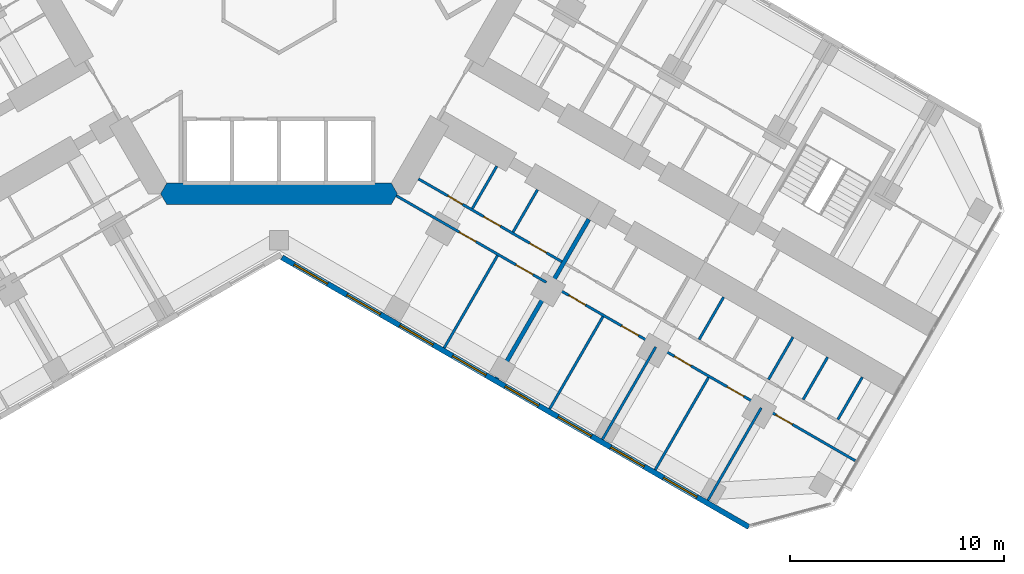
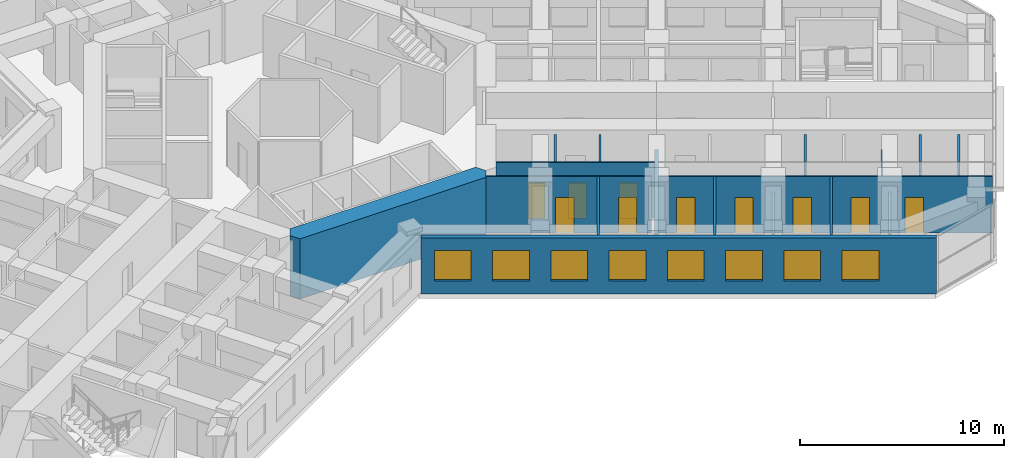
# One storey, part 14 of 22: 17 walls, 10 doors, 8 windows, 18 openings.
"""IFC4 building model written with IfcOpenShell, lengths in metres."""

from ifc_helpers import new_model, si_unit, direction, frame, frame_2d, origin, place, context, subcontext, project, spatial, polyline, rectangle, outline, extrude, material, layer, layer_set, type_object, element, fill, save


model = new_model("IFC4")

# Units and contexts
model_context = context("Model", 3, precision=1e-05, world=origin(), true_north=direction((0.0, 1.0)))
body_context = subcontext(model_context, "Body", "Model", "MODEL_VIEW")
ifc_project = project(units=[si_unit("LENGTHUNIT", "METRE"), si_unit("AREAUNIT", "SQUARE_METRE"), si_unit("VOLUMEUNIT", "CUBIC_METRE"), si_unit("PLANEANGLEUNIT", "RADIAN"), si_unit("MASSUNIT", "GRAM", prefix="KILO")], contexts=[model_context])

# Site, building, storey
site_placement = place(None, origin())
site = spatial("IfcSite", under=ifc_project, at=site_placement, CompositionType="ELEMENT")
building_placement = place(site_placement, origin())
building = spatial("IfcBuilding", under=site, at=building_placement, Name="Kosmar Iwan School Tower", CompositionType="ELEMENT")
storey_placement = place(building_placement, frame((0.0, 0.0, 95.199951171875)))
storey = spatial("IfcBuildingStorey", under=building, at=storey_placement, Name="L23", CompositionType="ELEMENT", Elevation=95.199951171875)

# Wall
ifc_material_1 = material(Name="Concrete C50/60", Category="concrete")
ifc_layer_1 = layer(ifc_material_1, 1.0)
ifc_layer_set_1 = layer_set([ifc_layer_1], Name="Core wall 1000")
wall_type_1 = type_object("IfcWallType", Name="Core wall 1000", PredefinedType="SHEAR", material=ifc_layer_set_1)
wall_1_placement = place(storey_placement, origin())
element("IfcWall", 1, at=wall_1_placement, inside=storey, type_object=wall_type_1, Name="Core wall F270", PredefinedType="SHEAR", context=body_context, shape_type="SweptSolid", body=[
    extrude(outline(polyline([(-5.25390625, -10.10009765625), (5.25390625, -10.10009765625), (5.54248046875, -9.60009765625), (5.25390625, -9.10009765625), (-5.25390625, -9.10009765625), (-5.54248046875, -9.60009765625), (-5.25390625, -10.10009765625)])), origin(), (0.0, 0.0, 1.0), 3.60009765625),
])

# Wall, openings, doors
ifc_material_2 = material(Name="Gypsum board on steel studs", Category="steel")
ifc_layer_2 = layer(ifc_material_2, 0.1201171875)
ifc_layer_set_2 = layer_set([ifc_layer_2], Name="Dwelling partition 120")
wall_type_2 = type_object("IfcWallType", Name="Dwelling partition 120", PredefinedType="PARTITIONING", material=ifc_layer_set_2)
wall_2_placement = place(storey_placement, frame((6.521728515625, -8.90380859375, 0.0), z_axis=(0.0, 0.0, 1.0), x_axis=(0.866032409438, -0.499987865656, 0.0)))
wall_2 = element("IfcWall", 2, at=wall_2_placement, inside=storey, type_object=wall_type_2, Name="Partition L23-CR1-W1", PredefinedType="PARTITIONING", context=body_context, shape_type="SweptSolid", body=[
    extrude(rectangle(XDim=7.750244140625, YDim=0.1201171875, at=frame_2d((3.875, 0.0))), origin(), (0.0, 0.0, 1.0), 3.35009765625),
])
opening_1_placement = place(wall_2_placement, frame((1.590087890625, 0.0, 0.0)))
opening_1 = element("IfcOpeningElement", 3, at=opening_1_placement, cuts=wall_2, Name="Opening D3", PredefinedType="OPENING", context=body_context, shape_type="SweptSolid", body=[
    extrude(rectangle(XDim=0.800048828125, YDim=2.10009765625, at=frame_2d((0.39990234375, 1.050048828125))), frame((0.0, 0.072021484375, 0.0), z_axis=(0.0, -1.0, 0.0), x_axis=(1.0, 0.0, 0.0)), (0.0, 0.0, 1.0), 0.14404296875),
])
opening_2_placement = place(wall_2_placement, frame((3.530029296875, 0.0, 0.0)))
opening_2 = element("IfcOpeningElement", 4, at=opening_2_placement, cuts=wall_2, Name="Opening D2", PredefinedType="OPENING", context=body_context, shape_type="SweptSolid", body=[
    extrude(rectangle(XDim=0.89990234375, YDim=2.10009765625, at=frame_2d((0.449951171875, 1.050048828125))), frame((0.0, 0.072021484375, 0.0), z_axis=(0.0, -1.0, 0.0), x_axis=(1.0, 0.0, 0.0)), (0.0, 0.0, 1.0), 0.14404296875),
])
opening_3_placement = place(wall_2_placement, frame((6.014892578125, 0.0, 0.0)))
opening_3 = element("IfcOpeningElement", 5, at=opening_3_placement, cuts=wall_2, Name="Opening D2", PredefinedType="OPENING", context=body_context, shape_type="SweptSolid", body=[
    extrude(rectangle(XDim=0.89990234375, YDim=2.10009765625, at=frame_2d((0.449951171875, 1.050048828125))), frame((0.0, 0.072021484375, 0.0), z_axis=(0.0, -1.0, 0.0), x_axis=(1.0, 0.0, 0.0)), (0.0, 0.0, 1.0), 0.14404296875),
])
ifc_material_3 = material(Name="Timber door in timber frame", Category="wood")
door_type_1 = type_object("IfcDoorType", Name="Internal door 900x2100", OperationType="SINGLE_SWING_LEFT", PredefinedType="DOOR", material=ifc_material_3)
door_1_placement = place(opening_2_placement, origin())
door_1 = element("IfcDoor", 6, at=door_1_placement, inside=storey, type_object=door_type_1, Name="Entrance hall door L23-CR1-S2", OperationType="SINGLE_SWING_LEFT", OverallHeight=2.10009765625, OverallWidth=0.89990234375, PredefinedType="DOOR", context=body_context, shape_type="SweptSolid", body=[
    extrude(rectangle(XDim=0.89990234375, YDim=2.10009765625, at=frame_2d((0.449951171875, 1.050048828125))), frame((0.0, 0.02490234375, 0.0), z_axis=(0.0, -1.0, 0.0), x_axis=(1.0, 0.0, 0.0)), (0.0, 0.0, 1.0), 0.050048828125),
])
fill(opening_2, door_1)
door_2_placement = place(opening_3_placement, origin())
door_2 = element("IfcDoor", 7, at=door_2_placement, inside=storey, type_object=door_type_1, Name="Pantry door L23-CR1-S3", OperationType="SINGLE_SWING_RIGHT", OverallHeight=2.10009765625, OverallWidth=0.89990234375, PredefinedType="DOOR", context=body_context, shape_type="SweptSolid", body=[
    extrude(rectangle(XDim=0.89990234375, YDim=2.10009765625, at=frame_2d((0.449951171875, 1.050048828125))), frame((0.0, 0.02490234375, 0.0), z_axis=(0.0, -1.0, 0.0), x_axis=(1.0, 0.0, 0.0)), (0.0, 0.0, 1.0), 0.050048828125),
])
fill(opening_3, door_2)
ifc_material_4 = material(Name="Timber door in timber frame", Category="wood")
door_type_2 = type_object("IfcDoorType", Name="Sanitary room door 800x2100", OperationType="SINGLE_SWING_LEFT", PredefinedType="DOOR", material=ifc_material_4)
door_3_placement = place(opening_1_placement, origin())
door_3 = element("IfcDoor", 8, at=door_3_placement, inside=storey, type_object=door_type_2, Name="Bathroom door L23-CR1-S1", OperationType="SINGLE_SWING_RIGHT", OverallHeight=2.10009765625, OverallWidth=0.800048828125, PredefinedType="DOOR", context=body_context, shape_type="SweptSolid", body=[
    extrude(rectangle(XDim=0.800048828125, YDim=2.10009765625, at=frame_2d((0.39990234375, 1.050048828125))), frame((0.0, 0.02490234375, 0.0), z_axis=(0.0, -1.0, 0.0), x_axis=(1.0, 0.0, 0.0)), (0.0, 0.0, 1.0), 0.050048828125),
])
fill(opening_1, door_3)

wall_3_placement = place(storey_placement, frame((5.48876953125, -9.693115234375, 0.0), z_axis=(0.0, 0.0, 1.0), x_axis=(0.866025472755, -0.499999880539, 0.0)))
wall_3 = element("IfcWall", 9, at=wall_3_placement, inside=storey, type_object=wall_type_2, Name="Partition L23-CR1-W2", PredefinedType="PARTITIONING", context=body_context, shape_type="SweptSolid", body=[
    extrude(rectangle(XDim=8.10009765625, YDim=0.1201171875, at=frame_2d((4.050048828125, 0.0))), origin(), (0.0, 0.0, 1.0), 3.35009765625),
])
opening_4_placement = place(wall_3_placement, frame((3.39990234375, 0.0, 0.0)))
opening_4 = element("IfcOpeningElement", 10, at=opening_4_placement, cuts=wall_3, Name="Opening D2", PredefinedType="OPENING", context=body_context, shape_type="SweptSolid", body=[
    extrude(rectangle(XDim=0.89990234375, YDim=2.10009765625, at=frame_2d((0.449951171875, 1.050048828125))), frame((0.0, 0.072021484375, 0.0), z_axis=(0.0, -1.0, 0.0), x_axis=(1.0, 0.0, 0.0)), (0.0, 0.0, 1.0), 0.14404296875),
])
opening_5_placement = place(wall_3_placement, frame((6.47509765625, 0.0, 0.0)))
opening_5 = element("IfcOpeningElement", 11, at=opening_5_placement, cuts=wall_3, Name="Opening D2", PredefinedType="OPENING", context=body_context, shape_type="SweptSolid", body=[
    extrude(rectangle(XDim=0.89990234375, YDim=2.10009765625, at=frame_2d((0.449951171875, 1.050048828125))), frame((0.0, 0.072021484375, 0.0), z_axis=(0.0, -1.0, 0.0), x_axis=(1.0, 0.0, 0.0)), (0.0, 0.0, 1.0), 0.14404296875),
])
door_4_placement = place(opening_4_placement, origin())
door_4 = element("IfcDoor", 12, at=door_4_placement, inside=storey, type_object=door_type_1, Name="Living room and kitchen door L23-CR1-F1", OperationType="SINGLE_SWING_LEFT", OverallHeight=2.10009765625, OverallWidth=0.89990234375, PredefinedType="DOOR", context=body_context, shape_type="SweptSolid", body=[
    extrude(rectangle(XDim=0.89990234375, YDim=2.10009765625, at=frame_2d((0.449951171875, 1.050048828125))), frame((0.0, 0.02490234375, 0.0), z_axis=(0.0, -1.0, 0.0), x_axis=(1.0, 0.0, 0.0)), (0.0, 0.0, 1.0), 0.050048828125),
])
fill(opening_4, door_4)
door_5_placement = place(opening_5_placement, origin())
door_5 = element("IfcDoor", 13, at=door_5_placement, inside=storey, type_object=door_type_1, Name="Bedroom 1 door L23-CR1-F2", OperationType="SINGLE_SWING_RIGHT", OverallHeight=2.10009765625, OverallWidth=0.89990234375, PredefinedType="DOOR", context=body_context, shape_type="SweptSolid", body=[
    extrude(rectangle(XDim=0.89990234375, YDim=2.10009765625, at=frame_2d((0.449951171875, 1.050048828125))), frame((0.0, 0.02490234375, 0.0), z_axis=(0.0, -1.0, 0.0), x_axis=(1.0, 0.0, 0.0)), (0.0, 0.0, 1.0), 0.050048828125),
])
fill(opening_5, door_5)

# Walls
wall_4_placement = place(storey_placement, frame((10.221923828125, -12.4951171875, 0.0), z_axis=(0.0, 0.0, 1.0), x_axis=(-0.499996339024, -0.86602751744, 0.0)))
element("IfcWall", 14, at=wall_4_placement, inside=storey, type_object=wall_type_2, Name="Partition L23-CR1-X1", PredefinedType="PARTITIONING", context=body_context, shape_type="SweptSolid", body=[
    extrude(rectangle(XDim=4.98974609375, YDim=0.1201171875, at=frame_2d((2.494873046875, 0.0))), origin(), (0.0, 0.0, 1.0), 3.35009765625),
])
for number, where, z_axis, x_axis, name in (
    (15, (10.19091796875, -8.30859375, 0.0), (0.0, 0.0, 1.0), (-0.500014693593, -0.866016920268, 0.0), "Partition L23-CR1-Y1"),
    (16, (12.09619140625, -9.40869140625, 0.0), (0.0, 0.0, 1.0), (-0.500014693593, -0.866016920268, 0.0), "Partition L23-CR1-Y2"),
):
    element("IfcWall", number, at=place(storey_placement, frame(where, z_axis=z_axis, x_axis=x_axis)), inside=storey, type_object=wall_type_2, Name=name, PredefinedType="PARTITIONING", context=body_context, shape_type="SweptSolid", body=[
        extrude(rectangle(XDim=2.2900390625, YDim=0.1201171875, at=frame_2d((1.14501953125, 0.0))), origin(), (0.0, 0.0, 1.0), 3.35009765625),
    ])

# Wall, openings, doors
wall_5_placement = place(storey_placement, frame((12.806640625, -13.91796875, 0.0), z_axis=(0.0, 0.0, 1.0), x_axis=(0.866023907196, -0.500002592159, 0.0)))
wall_5 = element("IfcWall", 17, at=wall_5_placement, inside=storey, type_object=wall_type_2, Name="Partition L23-CR2-W2", PredefinedType="PARTITIONING", context=body_context, shape_type="SweptSolid", body=[
    extrude(rectangle(XDim=16.34521484375, YDim=0.1201171875, at=frame_2d((8.172607421875, 0.0))), origin(), (0.0, 0.0, 1.0), 3.35009765625),
])
opening_6_placement = place(wall_5_placement, frame((0.875, 0.0, 0.0)))
opening_6 = element("IfcOpeningElement", 18, at=opening_6_placement, cuts=wall_5, Name="Opening D2", PredefinedType="OPENING", context=body_context, shape_type="SweptSolid", body=[
    extrude(rectangle(XDim=0.89990234375, YDim=2.10009765625, at=frame_2d((0.449951171875, 1.050048828125))), frame((0.0, 0.072021484375, 0.0), z_axis=(0.0, -1.0, 0.0), x_axis=(1.0, 0.0, 0.0)), (0.0, 0.0, 1.0), 0.14404296875),
])
opening_7_placement = place(wall_5_placement, frame((3.72509765625, 0.0, 0.0)))
opening_7 = element("IfcOpeningElement", 19, at=opening_7_placement, cuts=wall_5, Name="Opening D2", PredefinedType="OPENING", context=body_context, shape_type="SweptSolid", body=[
    extrude(rectangle(XDim=0.89990234375, YDim=2.10009765625, at=frame_2d((0.449951171875, 1.050048828125))), frame((0.0, 0.072021484375, 0.0), z_axis=(0.0, -1.0, 0.0), x_axis=(1.0, 0.0, 0.0)), (0.0, 0.0, 1.0), 0.14404296875),
])
opening_8_placement = place(wall_5_placement, frame((6.574951171875, 0.0, 0.0)))
opening_8 = element("IfcOpeningElement", 20, at=opening_8_placement, cuts=wall_5, Name="Opening D2", PredefinedType="OPENING", context=body_context, shape_type="SweptSolid", body=[
    extrude(rectangle(XDim=0.89990234375, YDim=2.10009765625, at=frame_2d((0.449951171875, 1.050048828125))), frame((0.0, 0.072021484375, 0.0), z_axis=(0.0, -1.0, 0.0), x_axis=(1.0, 0.0, 0.0)), (0.0, 0.0, 1.0), 0.14404296875),
])
opening_9_placement = place(wall_5_placement, frame((9.425048828125, 0.0, 0.0)))
opening_9 = element("IfcOpeningElement", 21, at=opening_9_placement, cuts=wall_5, Name="Opening D2", PredefinedType="OPENING", context=body_context, shape_type="SweptSolid", body=[
    extrude(rectangle(XDim=0.89990234375, YDim=2.10009765625, at=frame_2d((0.449951171875, 1.050048828125))), frame((0.0, 0.072021484375, 0.0), z_axis=(0.0, -1.0, 0.0), x_axis=(1.0, 0.0, 0.0)), (0.0, 0.0, 1.0), 0.14404296875),
])
opening_10_placement = place(wall_5_placement, frame((12.050048828125, 0.0, 0.0)))
opening_10 = element("IfcOpeningElement", 22, at=opening_10_placement, cuts=wall_5, Name="Opening D2", PredefinedType="OPENING", context=body_context, shape_type="SweptSolid", body=[
    extrude(rectangle(XDim=0.89990234375, YDim=2.10009765625, at=frame_2d((0.449951171875, 1.050048828125))), frame((0.0, 0.072021484375, 0.0), z_axis=(0.0, -1.0, 0.0), x_axis=(1.0, 0.0, 0.0)), (0.0, 0.0, 1.0), 0.14404296875),
])
door_6_placement = place(opening_6_placement, origin())
door_6 = element("IfcDoor", 23, at=door_6_placement, inside=storey, type_object=door_type_1, Name="Bedroom 1 door L23-CR2-F1", OperationType="SINGLE_SWING_LEFT", OverallHeight=2.10009765625, OverallWidth=0.89990234375, PredefinedType="DOOR", context=body_context, shape_type="SweptSolid", body=[
    extrude(rectangle(XDim=0.89990234375, YDim=2.10009765625, at=frame_2d((0.449951171875, 1.050048828125))), frame((0.0, 0.02490234375, 0.0), z_axis=(0.0, -1.0, 0.0), x_axis=(1.0, 0.0, 0.0)), (0.0, 0.0, 1.0), 0.050048828125),
])
fill(opening_6, door_6)
door_7_placement = place(opening_7_placement, origin())
door_7 = element("IfcDoor", 24, at=door_7_placement, inside=storey, type_object=door_type_1, Name="Bedroom 4 door L23-CR2-F2", OperationType="SINGLE_SWING_LEFT", OverallHeight=2.10009765625, OverallWidth=0.89990234375, PredefinedType="DOOR", context=body_context, shape_type="SweptSolid", body=[
    extrude(rectangle(XDim=0.89990234375, YDim=2.10009765625, at=frame_2d((0.449951171875, 1.050048828125))), frame((0.0, 0.02490234375, 0.0), z_axis=(0.0, -1.0, 0.0), x_axis=(1.0, 0.0, 0.0)), (0.0, 0.0, 1.0), 0.050048828125),
])
fill(opening_7, door_7)
door_8_placement = place(opening_8_placement, origin())
door_8 = element("IfcDoor", 25, at=door_8_placement, inside=storey, type_object=door_type_1, Name="Bedroom 2 door L23-CR2-F3", OperationType="SINGLE_SWING_LEFT", OverallHeight=2.10009765625, OverallWidth=0.89990234375, PredefinedType="DOOR", context=body_context, shape_type="SweptSolid", body=[
    extrude(rectangle(XDim=0.89990234375, YDim=2.10009765625, at=frame_2d((0.449951171875, 1.050048828125))), frame((0.0, 0.02490234375, 0.0), z_axis=(0.0, -1.0, 0.0), x_axis=(1.0, 0.0, 0.0)), (0.0, 0.0, 1.0), 0.050048828125),
])
fill(opening_8, door_8)
door_9_placement = place(opening_9_placement, origin())
door_9 = element("IfcDoor", 26, at=door_9_placement, inside=storey, type_object=door_type_1, Name="Bedroom 3 door L23-CR2-F4", OperationType="SINGLE_SWING_RIGHT", OverallHeight=2.10009765625, OverallWidth=0.89990234375, PredefinedType="DOOR", context=body_context, shape_type="SweptSolid", body=[
    extrude(rectangle(XDim=0.89990234375, YDim=2.10009765625, at=frame_2d((0.449951171875, 1.050048828125))), frame((0.0, 0.02490234375, 0.0), z_axis=(0.0, -1.0, 0.0), x_axis=(1.0, 0.0, 0.0)), (0.0, 0.0, 1.0), 0.050048828125),
])
fill(opening_9, door_9)
door_10_placement = place(opening_10_placement, origin())
door_10 = element("IfcDoor", 27, at=door_10_placement, inside=storey, type_object=door_type_1, Name="Living room and kitchen door L23-CR2-F5", OperationType="SINGLE_SWING_RIGHT", OverallHeight=2.10009765625, OverallWidth=0.89990234375, PredefinedType="DOOR", context=body_context, shape_type="SweptSolid", body=[
    extrude(rectangle(XDim=0.89990234375, YDim=2.10009765625, at=frame_2d((0.449951171875, 1.050048828125))), frame((0.0, 0.02490234375, 0.0), z_axis=(0.0, -1.0, 0.0), x_axis=(1.0, 0.0, 0.0)), (0.0, 0.0, 1.0), 0.050048828125),
])
fill(opening_10, door_10)

# Walls
wall_6_placement = place(storey_placement, frame((15.158447265625, -15.344970703125, 0.0), z_axis=(0.0, 0.0, 1.0), x_axis=(-0.500011847778, -0.866018563358, 0.0)))
element("IfcWall", 28, at=wall_6_placement, inside=storey, type_object=wall_type_2, Name="Partition L23-CR2-X1", PredefinedType="PARTITIONING", context=body_context, shape_type="SweptSolid", body=[
    extrude(rectangle(XDim=4.990234375, YDim=0.1201171875, at=frame_2d((2.4951171875, 0.0))), origin(), (0.0, 0.0, 1.0), 3.35009765625),
])
wall_7_placement = place(storey_placement, frame((17.62646484375, -16.77001953125, 0.0), z_axis=(0.0, 0.0, 1.0), x_axis=(-0.499975153383, -0.86603974851, 0.0)))
element("IfcWall", 29, at=wall_7_placement, inside=storey, type_object=wall_type_2, Name="Partition L23-CR2-X2", PredefinedType="PARTITIONING", context=body_context, shape_type="SweptSolid", body=[
    extrude(rectangle(XDim=4.989990234375, YDim=0.1201171875, at=frame_2d((2.4951171875, 0.0))), origin(), (0.0, 0.0, 1.0), 2.449951171875),
])
wall_8_placement = place(storey_placement, frame((20.0947265625, -18.195068359375, 0.0), z_axis=(0.0, 0.0, 1.0), x_axis=(-0.500011847778, -0.866018563358, 0.0)))
element("IfcWall", 30, at=wall_8_placement, inside=storey, type_object=wall_type_2, Name="Partition L23-CR2-X3", PredefinedType="PARTITIONING", context=body_context, shape_type="SweptSolid", body=[
    extrude(rectangle(XDim=4.990234375, YDim=0.1201171875, at=frame_2d((2.4951171875, 0.0))), origin(), (0.0, 0.0, 1.0), 3.35009765625),
])
wall_9_placement = place(storey_placement, frame((22.562744140625, -19.6201171875, 0.0), z_axis=(0.0, 0.0, 1.0), x_axis=(-0.499996339024, -0.86602751744, 0.0)))
element("IfcWall", 31, at=wall_9_placement, inside=storey, type_object=wall_type_2, Name="Partition L23-CR2-X4", PredefinedType="PARTITIONING", context=body_context, shape_type="SweptSolid", body=[
    extrude(rectangle(XDim=4.98974609375, YDim=0.1201171875, at=frame_2d((2.494873046875, 0.0))), origin(), (0.0, 0.0, 1.0), 2.449951171875),
])
wall_10_placement = place(storey_placement, frame((20.802734375, -14.435302734375, 0.0), z_axis=(0.0, 0.0, 1.0), x_axis=(-0.500014693593, -0.866016920268, 0.0)))
element("IfcWall", 32, at=wall_10_placement, inside=storey, type_object=wall_type_2, Name="Partition L23-CR2-Y3", PredefinedType="PARTITIONING", context=body_context, shape_type="SweptSolid", body=[
    extrude(rectangle(XDim=2.2900390625, YDim=0.1201171875, at=frame_2d((1.14501953125, 0.0))), origin(), (0.0, 0.0, 1.0), 3.35009765625),
])
wall_11_placement = place(storey_placement, frame((24.04736328125, -16.30859375, 0.0), z_axis=(0.0, 0.0, 1.0), x_axis=(-0.500014693593, -0.866016920268, 0.0)))
element("IfcWall", 33, at=wall_11_placement, inside=storey, type_object=wall_type_2, Name="Partition L23-CR2-Y5", PredefinedType="PARTITIONING", context=body_context, shape_type="SweptSolid", body=[
    extrude(rectangle(XDim=2.2900390625, YDim=0.1201171875, at=frame_2d((1.14501953125, 0.0))), origin(), (0.0, 0.0, 1.0), 2.449951171875),
])
wall_12_placement = place(storey_placement, frame((25.669677734375, -17.245361328125, 0.0), z_axis=(0.0, 0.0, 1.0), x_axis=(-0.500014693593, -0.866016920268, 0.0)))
element("IfcWall", 34, at=wall_12_placement, inside=storey, type_object=wall_type_2, Name="Partition L23-CR2-Y6", PredefinedType="PARTITIONING", context=body_context, shape_type="SweptSolid", body=[
    extrude(rectangle(XDim=2.2900390625, YDim=0.1201171875, at=frame_2d((1.14501953125, 0.0))), origin(), (0.0, 0.0, 1.0), 3.35009765625),
])
wall_13_placement = place(storey_placement, frame((27.292236328125, -18.181884765625, 0.0), z_axis=(0.0, 0.0, 1.0), x_axis=(-0.499968531483, -0.866043571379, 0.0)))
element("IfcWall", 35, at=wall_13_placement, inside=storey, type_object=wall_type_2, Name="Partition L23-CR2-Y7", PredefinedType="PARTITIONING", context=body_context, shape_type="SweptSolid", body=[
    extrude(rectangle(XDim=2.290283203125, YDim=0.1201171875, at=frame_2d((1.14501953125, 0.0))), origin(), (0.0, 0.0, 1.0), 3.35009765625),
])

# Wall, openings, windows
ifc_material_5 = material(Name="Black aluminium rainscreen on insulated framing", Category="aluminium")
ifc_layer_3 = layer(ifc_material_5, 0.25)
ifc_layer_set_3 = layer_set([ifc_layer_3], Name="External wall rainscreen 250")
wall_type_3 = type_object("IfcWallType", Name="External wall rainscreen 250", PredefinedType="SOLIDWALL", material=ifc_layer_set_3)
wall_14_placement = place(storey_placement, frame((0.137939453125, -12.5791015625, 0.0), z_axis=(0.0, 0.0, 1.0), x_axis=(0.866023775649, -0.500002820003, 0.0)))
wall_14 = element("IfcWall", 36, at=wall_14_placement, inside=storey, type_object=wall_type_3, Name="External wall CR L23", PredefinedType="SOLIDWALL", context=body_context, shape_type="SweptSolid", body=[
    extrude(rectangle(XDim=25.226318359375, YDim=0.25, at=frame_2d((12.61328125, 0.0))), origin(), (0.0, 0.0, 1.0), 3.35009765625),
])
opening_11_placement = place(wall_14_placement, frame((0.666015625, 0.0, 0.800048828125)))
opening_11 = element("IfcOpeningElement", 37, at=opening_11_placement, cuts=wall_14, Name="Opening W1", PredefinedType="OPENING", context=body_context, shape_type="SweptSolid", body=[
    extrude(rectangle(XDim=1.800048828125, YDim=1.800048828125, at=frame_2d((0.89990234375, 0.89990234375))), frame((0.0, 0.136962890625, 0.0), z_axis=(0.0, -1.0, 0.0), x_axis=(1.0, 0.0, 0.0)), (0.0, 0.0, 1.0), 0.27392578125),
])
opening_12_placement = place(wall_14_placement, frame((3.51611328125, 0.0, 0.800048828125)))
opening_12 = element("IfcOpeningElement", 38, at=opening_12_placement, cuts=wall_14, Name="Opening W1", PredefinedType="OPENING", context=body_context, shape_type="SweptSolid", body=[
    extrude(rectangle(XDim=1.800048828125, YDim=1.800048828125, at=frame_2d((0.89990234375, 0.89990234375))), frame((0.0, 0.136962890625, 0.0), z_axis=(0.0, -1.0, 0.0), x_axis=(1.0, 0.0, 0.0)), (0.0, 0.0, 1.0), 0.27392578125),
])
opening_13_placement = place(wall_14_placement, frame((6.365966796875, 0.0, 0.800048828125)))
opening_13 = element("IfcOpeningElement", 39, at=opening_13_placement, cuts=wall_14, Name="Opening W1", PredefinedType="OPENING", context=body_context, shape_type="SweptSolid", body=[
    extrude(rectangle(XDim=1.800048828125, YDim=1.800048828125, at=frame_2d((0.89990234375, 0.89990234375))), frame((0.0, 0.136962890625, 0.0), z_axis=(0.0, -1.0, 0.0), x_axis=(1.0, 0.0, 0.0)), (0.0, 0.0, 1.0), 0.27392578125),
])
opening_14_placement = place(wall_14_placement, frame((9.216064453125, 0.0, 0.800048828125)))
opening_14 = element("IfcOpeningElement", 40, at=opening_14_placement, cuts=wall_14, Name="Opening W1", PredefinedType="OPENING", context=body_context, shape_type="SweptSolid", body=[
    extrude(rectangle(XDim=1.800048828125, YDim=1.800048828125, at=frame_2d((0.89990234375, 0.89990234375))), frame((0.0, 0.136962890625, 0.0), z_axis=(0.0, -1.0, 0.0), x_axis=(1.0, 0.0, 0.0)), (0.0, 0.0, 1.0), 0.27392578125),
])
opening_15_placement = place(wall_14_placement, frame((12.06591796875, 0.0, 0.800048828125)))
opening_15 = element("IfcOpeningElement", 41, at=opening_15_placement, cuts=wall_14, Name="Opening W1", PredefinedType="OPENING", context=body_context, shape_type="SweptSolid", body=[
    extrude(rectangle(XDim=1.800048828125, YDim=1.800048828125, at=frame_2d((0.89990234375, 0.89990234375))), frame((0.0, 0.136962890625, 0.0), z_axis=(0.0, -1.0, 0.0), x_axis=(1.0, 0.0, 0.0)), (0.0, 0.0, 1.0), 0.27392578125),
])
opening_16_placement = place(wall_14_placement, frame((14.916015625, 0.0, 0.800048828125)))
opening_16 = element("IfcOpeningElement", 42, at=opening_16_placement, cuts=wall_14, Name="Opening W1", PredefinedType="OPENING", context=body_context, shape_type="SweptSolid", body=[
    extrude(rectangle(XDim=1.800048828125, YDim=1.800048828125, at=frame_2d((0.89990234375, 0.89990234375))), frame((0.0, 0.136962890625, 0.0), z_axis=(0.0, -1.0, 0.0), x_axis=(1.0, 0.0, 0.0)), (0.0, 0.0, 1.0), 0.27392578125),
])
opening_17_placement = place(wall_14_placement, frame((17.76611328125, 0.0, 0.800048828125)))
opening_17 = element("IfcOpeningElement", 43, at=opening_17_placement, cuts=wall_14, Name="Opening W1", PredefinedType="OPENING", context=body_context, shape_type="SweptSolid", body=[
    extrude(rectangle(XDim=1.800048828125, YDim=1.800048828125, at=frame_2d((0.89990234375, 0.89990234375))), frame((0.0, 0.136962890625, 0.0), z_axis=(0.0, -1.0, 0.0), x_axis=(1.0, 0.0, 0.0)), (0.0, 0.0, 1.0), 0.27392578125),
])
opening_18_placement = place(wall_14_placement, frame((20.615966796875, 0.0, 0.800048828125)))
opening_18 = element("IfcOpeningElement", 44, at=opening_18_placement, cuts=wall_14, Name="Opening W1", PredefinedType="OPENING", context=body_context, shape_type="SweptSolid", body=[
    extrude(rectangle(XDim=1.800048828125, YDim=1.800048828125, at=frame_2d((0.89990234375, 0.89990234375))), frame((0.0, 0.136962890625, 0.0), z_axis=(0.0, -1.0, 0.0), x_axis=(1.0, 0.0, 0.0)), (0.0, 0.0, 1.0), 0.27392578125),
])
ifc_material_6 = material(Name="Black aluminium frame with dark triple glazing", Category="aluminium")
window_type = type_object("IfcWindowType", Name="Window 1800x1800", PartitioningType="SINGLE_PANEL", PredefinedType="WINDOW", material=ifc_material_6)
window_1_placement = place(opening_11_placement, origin())
window_1 = element("IfcWindow", 45, at=window_1_placement, inside=storey, type_object=window_type, Name="Window CR L23 -1", OverallHeight=1.800048828125, OverallWidth=1.800048828125, PartitioningType="SINGLE_PANEL", PredefinedType="WINDOW", context=body_context, shape_type="SweptSolid", body=[
    extrude(rectangle(XDim=1.800048828125, YDim=1.800048828125, at=frame_2d((0.89990234375, 0.89990234375))), frame((0.0, 0.030029296875, 0.0), z_axis=(0.0, -1.0, 0.0), x_axis=(1.0, 0.0, 0.0)), (0.0, 0.0, 1.0), 0.06005859375),
])
fill(opening_11, window_1)
window_2_placement = place(opening_12_placement, origin())
window_2 = element("IfcWindow", 46, at=window_2_placement, inside=storey, type_object=window_type, Name="Window CR L23 0", OverallHeight=1.800048828125, OverallWidth=1.800048828125, PartitioningType="SINGLE_PANEL", PredefinedType="WINDOW", context=body_context, shape_type="SweptSolid", body=[
    extrude(rectangle(XDim=1.800048828125, YDim=1.800048828125, at=frame_2d((0.89990234375, 0.89990234375))), frame((0.0, 0.030029296875, 0.0), z_axis=(0.0, -1.0, 0.0), x_axis=(1.0, 0.0, 0.0)), (0.0, 0.0, 1.0), 0.06005859375),
])
fill(opening_12, window_2)
window_3_placement = place(opening_13_placement, origin())
window_3 = element("IfcWindow", 47, at=window_3_placement, inside=storey, type_object=window_type, Name="Window CR L23 1", OverallHeight=1.800048828125, OverallWidth=1.800048828125, PartitioningType="SINGLE_PANEL", PredefinedType="WINDOW", context=body_context, shape_type="SweptSolid", body=[
    extrude(rectangle(XDim=1.800048828125, YDim=1.800048828125, at=frame_2d((0.89990234375, 0.89990234375))), frame((0.0, 0.030029296875, 0.0), z_axis=(0.0, -1.0, 0.0), x_axis=(1.0, 0.0, 0.0)), (0.0, 0.0, 1.0), 0.06005859375),
])
fill(opening_13, window_3)
window_4_placement = place(opening_14_placement, origin())
window_4 = element("IfcWindow", 48, at=window_4_placement, inside=storey, type_object=window_type, Name="Window CR L23 2", OverallHeight=1.800048828125, OverallWidth=1.800048828125, PartitioningType="SINGLE_PANEL", PredefinedType="WINDOW", context=body_context, shape_type="SweptSolid", body=[
    extrude(rectangle(XDim=1.800048828125, YDim=1.800048828125, at=frame_2d((0.89990234375, 0.89990234375))), frame((0.0, 0.030029296875, 0.0), z_axis=(0.0, -1.0, 0.0), x_axis=(1.0, 0.0, 0.0)), (0.0, 0.0, 1.0), 0.06005859375),
])
fill(opening_14, window_4)
window_5_placement = place(opening_15_placement, origin())
window_5 = element("IfcWindow", 49, at=window_5_placement, inside=storey, type_object=window_type, Name="Window CR L23 3", OverallHeight=1.800048828125, OverallWidth=1.800048828125, PartitioningType="SINGLE_PANEL", PredefinedType="WINDOW", context=body_context, shape_type="SweptSolid", body=[
    extrude(rectangle(XDim=1.800048828125, YDim=1.800048828125, at=frame_2d((0.89990234375, 0.89990234375))), frame((0.0, 0.030029296875, 0.0), z_axis=(0.0, -1.0, 0.0), x_axis=(1.0, 0.0, 0.0)), (0.0, 0.0, 1.0), 0.06005859375),
])
fill(opening_15, window_5)
window_6_placement = place(opening_16_placement, origin())
window_6 = element("IfcWindow", 50, at=window_6_placement, inside=storey, type_object=window_type, Name="Window CR L23 4", OverallHeight=1.800048828125, OverallWidth=1.800048828125, PartitioningType="SINGLE_PANEL", PredefinedType="WINDOW", context=body_context, shape_type="SweptSolid", body=[
    extrude(rectangle(XDim=1.800048828125, YDim=1.800048828125, at=frame_2d((0.89990234375, 0.89990234375))), frame((0.0, 0.030029296875, 0.0), z_axis=(0.0, -1.0, 0.0), x_axis=(1.0, 0.0, 0.0)), (0.0, 0.0, 1.0), 0.06005859375),
])
fill(opening_16, window_6)
window_7_placement = place(opening_17_placement, origin())
window_7 = element("IfcWindow", 51, at=window_7_placement, inside=storey, type_object=window_type, Name="Window CR L23 5", OverallHeight=1.800048828125, OverallWidth=1.800048828125, PartitioningType="SINGLE_PANEL", PredefinedType="WINDOW", context=body_context, shape_type="SweptSolid", body=[
    extrude(rectangle(XDim=1.800048828125, YDim=1.800048828125, at=frame_2d((0.89990234375, 0.89990234375))), frame((0.0, 0.030029296875, 0.0), z_axis=(0.0, -1.0, 0.0), x_axis=(1.0, 0.0, 0.0)), (0.0, 0.0, 1.0), 0.06005859375),
])
fill(opening_17, window_7)
window_8_placement = place(opening_18_placement, origin())
window_8 = element("IfcWindow", 52, at=window_8_placement, inside=storey, type_object=window_type, Name="Window CR L23 6", OverallHeight=1.800048828125, OverallWidth=1.800048828125, PartitioningType="SINGLE_PANEL", PredefinedType="WINDOW", context=body_context, shape_type="SweptSolid", body=[
    extrude(rectangle(XDim=1.800048828125, YDim=1.800048828125, at=frame_2d((0.89990234375, 0.89990234375))), frame((0.0, 0.030029296875, 0.0), z_axis=(0.0, -1.0, 0.0), x_axis=(1.0, 0.0, 0.0)), (0.0, 0.0, 1.0), 0.06005859375),
])
fill(opening_18, window_8)

# Wall
ifc_material_7 = material(Name="Concrete block masonry", Category="masonry")
ifc_layer_4 = layer(ifc_material_7, 0.199951171875)
ifc_layer_set_4 = layer_set([ifc_layer_4], Name="Party wall 200")
wall_type_4 = type_object("IfcWallType", Name="Party wall 200", PredefinedType="PARTITIONING", material=ifc_layer_set_4)
wall_15_placement = place(storey_placement, frame((14.4951171875, -10.793701171875, 0.0), z_axis=(0.0, 0.0, 1.0), x_axis=(-0.500007509209, -0.866021068297, 0.0)))
element("IfcWall", 53, at=wall_15_placement, inside=storey, type_object=wall_type_4, Name="Partition L23-CR2-PW", PredefinedType="PARTITIONING", context=body_context, shape_type="SweptSolid", body=[
    extrude(rectangle(XDim=8.599853515625, YDim=0.199951171875, at=frame_2d((4.2998046875, 0.0))), origin(), (0.0, 0.0, 1.0), 2.449951171875),
])

save(model, "model.ifc")
